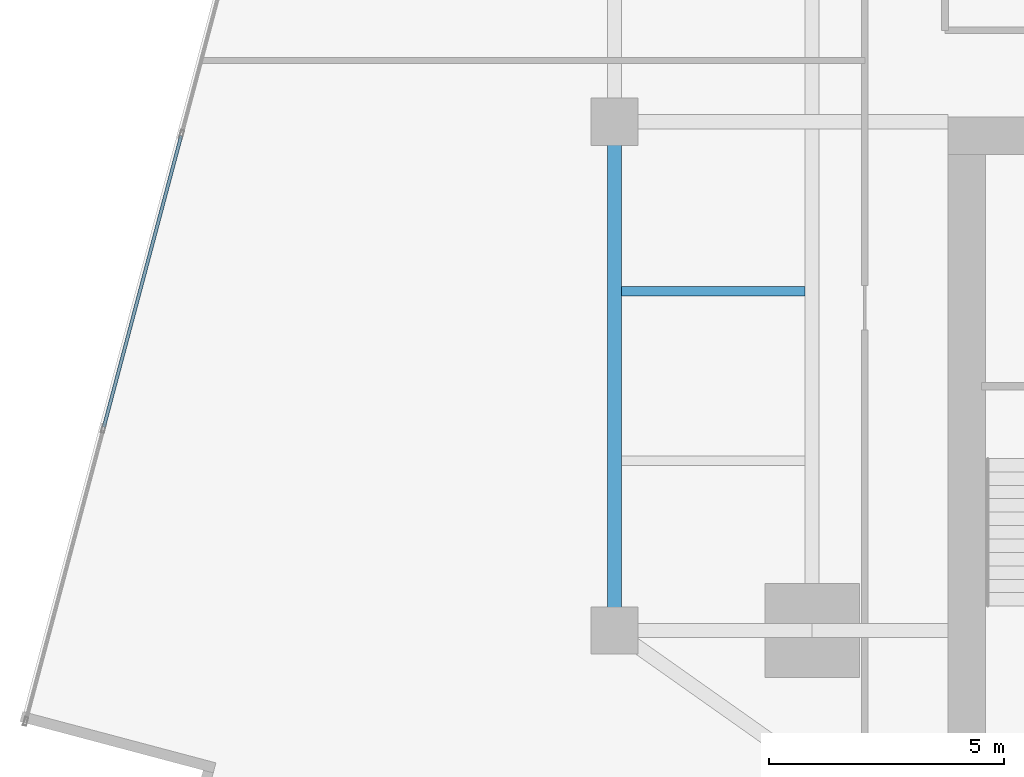
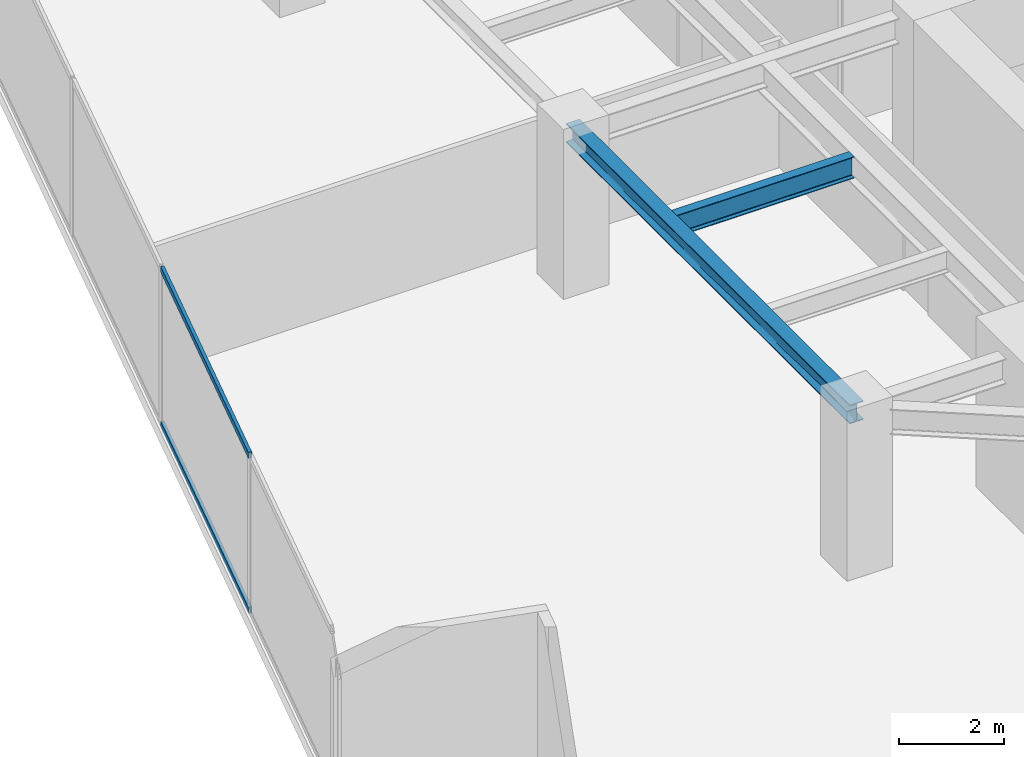
# One storey, part 7 of 27: 2 beams, 2 members, 1 element without a shape of its own.
"""IFC4 building model written with IfcOpenShell, lengths in metres."""

from ifc_helpers import new_model, si_unit, direction, frame, origin, origin_2d, place, context, subcontext, project, spatial, hollow_rectangle, i_section, extrude, source, transform, mapped, material, material_profile, profile_set, type_object, type_shapes, element, aggregate, save


model = new_model("IFC4")

# Units and contexts
model_context = context("Model", 3, precision=1e-05, world=origin(), true_north=direction((0.0, 1.0)))
body_context = subcontext(model_context, "Body", "Model", "MODEL_VIEW")
ifc_project = project(units=[si_unit("LENGTHUNIT", "METRE"), si_unit("AREAUNIT", "SQUARE_METRE"), si_unit("VOLUMEUNIT", "CUBIC_METRE"), si_unit("PLANEANGLEUNIT", "RADIAN"), si_unit("MASSUNIT", "GRAM", prefix="KILO")], contexts=[model_context])

# Site, building, storey
site_placement = place(None, origin())
site = spatial("IfcSite", under=ifc_project, at=site_placement, CompositionType="ELEMENT")
building_placement = place(site_placement, origin())
building = spatial("IfcBuilding", under=site, at=building_placement, Name="Krantzveldt Concourse Tower", CompositionType="ELEMENT")
storey_placement = place(building_placement, frame((0.0, 0.0, 105.85009765625)))
storey = spatial("IfcBuildingStorey", under=building, at=storey_placement, Name="L25", CompositionType="ELEMENT", Elevation=105.85009765625)

# Beams
ifc_material_1 = material(Name="Steel S355JR", Category="steel")
ifc_material_profile_1 = material_profile(ifc_material_1, i_section(OverallWidth=0.300048828125, OverallDepth=0.43994140625, WebThickness=0.011474609375, FlangeThickness=0.02099609375, FilletRadius=0.027099609375, at=origin_2d()), Name="Steel S355JR", Category="steel")
ifc_profile_set_1 = profile_set([ifc_material_profile_1], Name="Steel S355JR - HEA 450")
beam_type_1 = type_object("IfcBeamType", Name="BM-SP-HEA450", PredefinedType="SPANDREL", material=ifc_profile_set_1)
shared_shape_1 = source(origin(), body_context, "Body", "SweptSolid", [
    extrude(i_section(OverallWidth=0.300048828125, OverallDepth=0.43994140625, WebThickness=0.011474609375, FlangeThickness=0.02099609375, FilletRadius=0.027099609375, at=origin_2d()), origin(), (0.0, 0.0, 1.0), 10.800048828125),
])
type_shapes(beam_type_1, [shared_shape_1])
beam_1_placement = place(storey_placement, frame((21.0, 15.89990234375, 3.449951171875), z_axis=(0.0, 1.0, 0.0), x_axis=(-1.0, 0.0, 0.0)))
element("IfcBeam", 1, at=beam_1_placement, inside=storey, type_object=beam_type_1, Name="L25 Tower Girder SP-R01", PredefinedType="SPANDREL", context=body_context, shape_type="MappedRepresentation", body=[
    mapped(shared_shape_1, transform((0.0, 0.0, 0.0), x_axis=(1.0, 0.0, 0.0), y_axis=(0.0, 1.0, 0.0), z_axis=(0.0, 0.0, 1.0), scale=1.0)),
])
ifc_material_profile_2 = material_profile(ifc_material_1, i_section(OverallWidth=0.199951171875, OverallDepth=0.5, WebThickness=0.01025390625, FlangeThickness=0.01611328125, FilletRadius=0.02099609375, at=origin_2d()), Name="Steel S355JR", Category="steel")
ifc_profile_set_2 = profile_set([ifc_material_profile_2], Name="Steel S355JR - IPE 500")
beam_type_2 = type_object("IfcBeamType", Name="BM-J-IPE500", PredefinedType="JOIST", material=ifc_profile_set_2)
shared_shape_2 = source(origin(), body_context, "Body", "SweptSolid", [
    extrude(i_section(OverallWidth=0.199951171875, OverallDepth=0.5, WebThickness=0.01025390625, FlangeThickness=0.01611328125, FilletRadius=0.02099609375, at=origin_2d()), origin(), (0.0, 0.0, 1.0), 3.900146484375),
])
type_shapes(beam_type_2, [shared_shape_2])
beam_2_placement = place(storey_placement, frame((21.14990234375, 23.10009765625, 3.419921875), z_axis=(1.0, 0.0, 0.0), x_axis=(0.0, 1.0, 0.0)))
element("IfcBeam", 2, at=beam_2_placement, inside=storey, type_object=beam_type_2, Name="L25 Secondary Floor Joist JW-2", PredefinedType="JOIST", context=body_context, shape_type="MappedRepresentation", body=[
    mapped(shared_shape_2, transform((0.0, 0.0, 0.0), x_axis=(1.0, 0.0, 0.0), y_axis=(0.0, 1.0, 0.0), z_axis=(0.0, 0.0, 1.0), scale=1.0)),
])

# Curtain wall, members
ifc_material_2 = material(Name="Anodised aluminium 6063-T6", Category="aluminium")
curtain_wall_type = type_object("IfcCurtainWallType", Name="CW2", PredefinedType="USERDEFINED", material=ifc_material_2)
curtain_wall_placement = place(storey_placement, origin())
curtain_wall = element("IfcCurtainWall", 3, at=curtain_wall_placement, inside=storey, type_object=curtain_wall_type, Name="CW-L25-F01", ObjectType="UNITISED CURTAIN WALL", PredefinedType="USERDEFINED")
ifc_material_profile_3 = material_profile(ifc_material_2, hollow_rectangle(XDim=0.070068359375, YDim=0.139892578125, WallThickness=0.0048828125, at=origin_2d()), Name="Anodised aluminium 6063-T6", Category="aluminium")
ifc_profile_set_3 = profile_set([ifc_material_profile_3], Name="Anodised aluminium 6063-T6 - ALU-TRAN 140x70x5")
member_type = type_object("IfcMemberType", Name="CW-TRN-150", PredefinedType="USERDEFINED", material=ifc_profile_set_3)
shared_shape_3 = source(origin(), body_context, "Body", "SweptSolid", [
    extrude(hollow_rectangle(XDim=0.070068359375, YDim=0.139892578125, WallThickness=0.0048828125, at=origin_2d()), origin(), (0.0, 0.0, 1.0), 6.396728515625),
])
type_shapes(member_type, [shared_shape_3])
member_1_placement = place(storey_placement, frame((11.802001953125, 26.400146484375, 0.034912109375), z_axis=(-0.256707571528, -0.966489121884, 0.0), x_axis=(0.966489121884, -0.256707571528, 0.0)))
member_1 = element("IfcMember", 4, at=member_1_placement, type_object=member_type, Name="CW-Z12 transom 5.1", ObjectType="TRANSOM", PredefinedType="USERDEFINED", context=body_context, shape_type="MappedRepresentation", body=[
    mapped(shared_shape_3, transform((0.0, 0.0, 0.0), x_axis=(1.0, 0.0, 0.0), y_axis=(0.0, 1.0, 0.0), z_axis=(0.0, 0.0, 1.0), scale=1.0)),
])
member_2_placement = place(storey_placement, frame((11.802001953125, 26.400146484375, 3.635009765625), z_axis=(-0.256707571528, -0.966489121884, 0.0), x_axis=(0.966489121884, -0.256707571528, 0.0)))
member_2 = element("IfcMember", 5, at=member_2_placement, type_object=member_type, Name="CW-Z12 transom 5.2", ObjectType="TRANSOM", PredefinedType="USERDEFINED", context=body_context, shape_type="MappedRepresentation", body=[
    mapped(shared_shape_3, transform((0.0, 0.0, 0.0), x_axis=(1.0, 0.0, 0.0), y_axis=(0.0, 1.0, 0.0), z_axis=(0.0, 0.0, 1.0), scale=1.0)),
])
aggregate(curtain_wall, [member_1, member_2])

save(model, "model.ifc")
